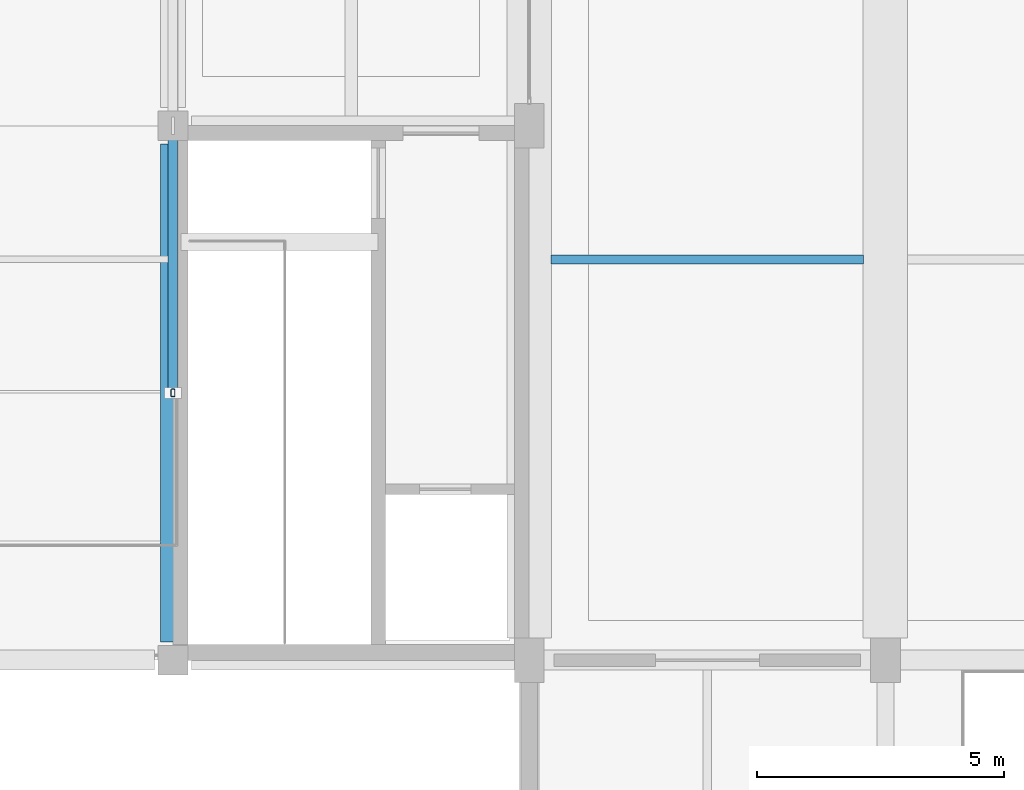
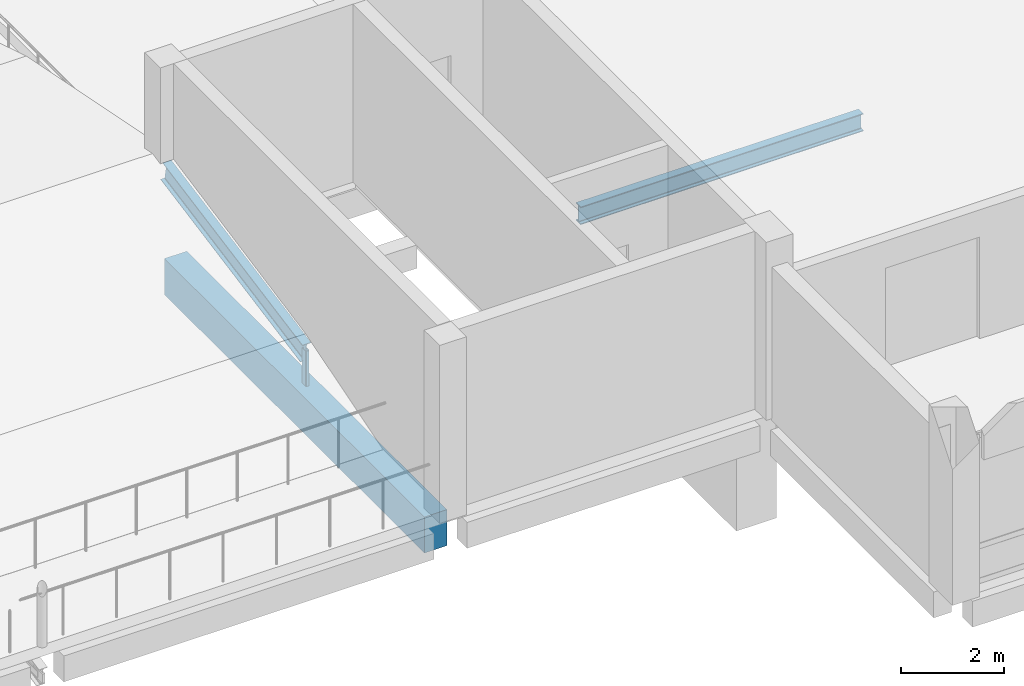
# One storey, part 20 of 158: 3 beams, 1 member.
"""IFC4 building model written with IfcOpenShell, lengths in metres."""

import ifcopenshell
import ifcopenshell.guid

model = None  # the IFC model being written
_history = None  # IfcOwnerHistory: only IFC2X3 demands one
_inside = {}  # id of a spatial element -> (the spatial element, [elements in it])
_under = {}  # id of a project, library or spatial element -> (it, [spatial elements below it])
_declared = {}  # id of a project -> (the project, [libraries it declares])
_typed = {}  # id of a type object -> (the type object, [elements of that type])
_made_of = {}  # id of a material, layer set ... -> (it, [elements and type objects made of it])


def new_model(schema):
    """Start an empty IFC model of exactly this schema.

    Asked for "IFC4X3", IfcOpenShell would pick the latest addendum, in which some entities
    have other attributes; the version numbers below select the first issue.
    IFC2X3 requires an IfcOwnerHistory on every rooted entity: one is made here for all.
    """
    global model, _history
    if schema == "IFC4X3":
        model = ifcopenshell.file(schema_version=(4, 3, 0, 0))
    else:
        model = ifcopenshell.file(schema=schema)
    _inside.clear()
    _under.clear()
    _declared.clear()
    _typed.clear()
    _made_of.clear()
    _history = None
    if model.schema == "IFC2X3":
        org = make("IfcOrganization", Name="unknown")
        user = make(
            "IfcPersonAndOrganization",
            ThePerson=make("IfcPerson", FamilyName="unknown"),
            TheOrganization=org,
        )
        app = make(
            "IfcApplication",
            ApplicationDeveloper=org,
            Version="unknown",
            ApplicationFullName="unknown",
            ApplicationIdentifier="unknown",
        )
        _history = make(
            "IfcOwnerHistory",
            OwningUser=user,
            OwningApplication=app,
            ChangeAction="ADDED",
            CreationDate=0,
        )
    return model


def make(cls, **values):
    """One entity of the class cls with the attributes given. An attribute that is None is left unset."""
    return model.create_entity(
        cls, **{name: value for name, value in values.items() if value is not None}
    )


def rooted(cls, **values):
    """An entity with a GlobalId (a new one), such as an element, a storey or a relation."""
    return make(cls, GlobalId=ifcopenshell.guid.new(), OwnerHistory=_history, **values)


def si_unit(unit_type, name, prefix=None):
    """IfcSIUnit, for example si_unit("LENGTHUNIT", "METRE", prefix="MILLI")."""
    return make("IfcSIUnit", UnitType=unit_type, Prefix=prefix, Name=name)


def assignment(units):
    """IfcUnitAssignment: the units of a project."""
    return None if units is None else make("IfcUnitAssignment", Units=units)


def point(xyz):
    """IfcCartesianPoint."""
    return None if xyz is None else make("IfcCartesianPoint", Coordinates=xyz)


def direction(xyz):
    """IfcDirection."""
    return None if xyz is None else make("IfcDirection", DirectionRatios=xyz)


def frame(location, z_axis=None, x_axis=None):
    """IfcAxis2Placement3D, a coordinate frame: its origin and axes. An axis left out is left unset."""
    return make(
        "IfcAxis2Placement3D",
        Location=point(location),
        Axis=direction(z_axis),
        RefDirection=direction(x_axis),
    )


def frame_2d(location, x_axis=None):
    """IfcAxis2Placement2D, a coordinate frame in the plane: its origin and x axis."""
    return make(
        "IfcAxis2Placement2D", Location=point(location), RefDirection=direction(x_axis)
    )


def origin():
    """The frame at (0, 0, 0) with its axes left unset."""
    return frame((0.0, 0.0, 0.0))


def origin_2d():
    """The frame at (0, 0) in the plane with its x axis left unset."""
    return frame_2d((0.0, 0.0))


def place(relative_to, where):
    """IfcLocalPlacement: puts the frame where relative to a parent placement (None: the world)."""
    return make(
        "IfcLocalPlacement", PlacementRelTo=relative_to, RelativePlacement=where
    )


def context(
    kind, dimensions, precision=None, world=None, true_north=None, identifier=None
):
    """IfcGeometricRepresentationContext, for example the 3D "Model" context."""
    return make(
        "IfcGeometricRepresentationContext",
        ContextIdentifier=identifier,
        ContextType=kind,
        CoordinateSpaceDimension=dimensions,
        Precision=precision,
        WorldCoordinateSystem=world,
        TrueNorth=true_north,
    )


def subcontext(parent, identifier, kind, view, scale=None):
    """IfcGeometricRepresentationSubContext, for example "Body" below "Model"."""
    return make(
        "IfcGeometricRepresentationSubContext",
        ContextIdentifier=identifier,
        ContextType=kind,
        ParentContext=parent,
        TargetScale=scale,
        TargetView=view,
    )


def project(units=None, contexts=None):
    """IfcProject with its units and contexts."""
    return rooted(
        "IfcProject",
        Name="project",
        RepresentationContexts=contexts,
        UnitsInContext=assignment(units),
    )


def spatial(cls, under=None, at=None, **own):
    """A site, building, storey or space (cls), placed at a placement, below another one or the project."""
    s = rooted(cls, ObjectPlacement=at, **own)
    if under is not None:
        _under.setdefault(under.id(), (under, []))[1].append(s)
    return s


def profile(cls, at=None, kind="AREA", **sizes):
    """A parametric profile (cls). Its sizes go by their IFC names, for example OverallWidth=200.0."""
    return make(cls, ProfileType=kind, Position=at, **sizes)


def rectangle(**sizes):
    """IfcRectangleProfileDef."""
    return profile("IfcRectangleProfileDef", **sizes)


def hollow_rectangle(**sizes):
    """IfcRectangleHollowProfileDef."""
    return profile("IfcRectangleHollowProfileDef", **sizes)


def i_section(**sizes):
    """IfcIShapeProfileDef."""
    return profile("IfcIShapeProfileDef", **sizes)


def extrude(swept, where, along, depth):
    """IfcExtrudedAreaSolid: the profile swept, set in the frame where, extruded along a direction by depth."""
    return make(
        "IfcExtrudedAreaSolid",
        SweptArea=swept,
        Position=where,
        ExtrudedDirection=direction(along),
        Depth=depth,
    )


def shape(context_of_items, identifier, shape_type, items):
    """IfcShapeRepresentation: the items that make up one representation, for example the "Body"."""
    return make(
        "IfcShapeRepresentation",
        ContextOfItems=context_of_items,
        RepresentationIdentifier=identifier,
        RepresentationType=shape_type,
        Items=items,
    )


def material(Name=None, Category=None):
    """IfcMaterial."""
    return make("IfcMaterial", Name=Name, Category=Category)


def material_profile(
    of_material, cross_section, Name=None, Category=None, Priority=None
):
    """IfcMaterialProfile: a cross section and its material."""
    return make(
        "IfcMaterialProfile",
        Name=Name,
        Material=of_material,
        Profile=cross_section,
        Priority=Priority,
        Category=Category,
    )


def profile_set(profiles, Name=None, composite=None):
    """IfcMaterialProfileSet."""
    return make(
        "IfcMaterialProfileSet",
        Name=Name,
        MaterialProfiles=profiles,
        CompositeProfile=composite,
    )


def made_of(thing, what):
    """Note that an element or type object is made of a material, layer set ...; save() writes the relation."""
    if what is not None:
        _made_of.setdefault(what.id(), (what, []))[1].append(thing)
    return thing


def type_object(cls, material=None, **own):
    """A type object (cls), such as IfcWallType, which elements share."""
    return made_of(rooted(cls, **own), material)


def element(
    cls,
    number,
    at=None,
    inside=None,
    cuts=None,
    type_object=None,
    material=None,
    context=None,
    identifier="Body",
    shape_type=None,
    held_by="IfcProductDefinitionShape",
    body=None,
    shapes=None,
    **own,
):
    """One element of the class cls, such as IfcWall. Its Tag is "e" and its number.

    at: its placement. inside: the storey or other place that contains it. cuts: it is an
    opening in that element (IfcRelVoidsElement). A single representation is given by context,
    identifier, shape_type and body (its items); several are given by shapes. held_by: the class
    of the entity that holds the representations. save() writes the other relations.
    """
    e = rooted(cls, Tag="e%d" % number, ObjectPlacement=at, **own)
    if body is not None:
        shapes = [shape(context, identifier, shape_type, body)]
    if shapes is not None:
        e.Representation = make(held_by, Representations=shapes)
    if inside is not None:
        _inside.setdefault(inside.id(), (inside, []))[1].append(e)
    if cuts is not None:
        rooted(
            "IfcRelVoidsElement", RelatingBuildingElement=cuts, RelatedOpeningElement=e
        )
    if type_object is not None:
        _typed.setdefault(type_object.id(), (type_object, []))[1].append(e)
    return made_of(e, material)


def aggregate(whole, parts):
    """IfcRelAggregates: a whole, such as a stair, and the parts it consists of."""
    return rooted("IfcRelAggregates", RelatingObject=whole, RelatedObjects=parts)


def save(model, path):
    """Write the relations noted so far, then the file.

    IfcRelAggregates (storeys below a building ...), IfcRelContainedInSpatialStructure (elements
    in a storey), IfcRelDefinesByType, IfcRelAssociatesMaterial and IfcRelDeclares: one each for
    every whole, place, type object, material and project.
    """
    for whole, parts in _under.values():
        aggregate(whole, parts)
    for where, things in _inside.values():
        rooted(
            "IfcRelContainedInSpatialStructure",
            RelatedElements=things,
            RelatingStructure=where,
        )
    for kind, things in _typed.values():
        rooted("IfcRelDefinesByType", RelatedObjects=things, RelatingType=kind)
    for what, things in _made_of.values():
        rooted("IfcRelAssociatesMaterial", RelatedObjects=things, RelatingMaterial=what)
    for by, libraries in _declared.values():
        rooted("IfcRelDeclares", RelatingContext=by, RelatedDefinitions=libraries)
    model.write(path)


model = new_model("IFC4")

# Units and contexts
model_context = context("Model", 3, precision=1e-05, world=origin(), true_north=direction((0.0, 1.0)))
body_context = subcontext(model_context, "Body", "Model", "MODEL_VIEW")
ifc_project = project(units=[si_unit("LENGTHUNIT", "METRE"), si_unit("AREAUNIT", "SQUARE_METRE"), si_unit("VOLUMEUNIT", "CUBIC_METRE"), si_unit("PLANEANGLEUNIT", "RADIAN"), si_unit("MASSUNIT", "GRAM", prefix="KILO")], contexts=[model_context])

# Site, building, storey
site_placement = place(None, origin())
site = spatial("IfcSite", under=ifc_project, at=site_placement, CompositionType="ELEMENT")
building_placement = place(site_placement, origin())
building = spatial("IfcBuilding", under=site, at=building_placement, Name="Lusvemor Sports Hall", CompositionType="ELEMENT")
storey_placement = place(building_placement, frame((0.0, 0.0, 10.800048828125)))
storey = spatial("IfcBuildingStorey", under=building, at=storey_placement, Name="L02", CompositionType="ELEMENT", Elevation=10.800048828125)

# Beams
ifc_material_1 = material(Name="Steel S355", Category="steel")
ifc_material_profile_1 = material_profile(ifc_material_1, i_section(OverallWidth=0.180908203125, OverallDepth=0.4169921875, WebThickness=0.010986328125, FlangeThickness=0.018310546875, FilletRadius=0.01611328125, at=origin_2d()), Name="W410x85.0")
ifc_profile_set_1 = profile_set([ifc_material_profile_1], Name="Steel S355")
beam_type_1 = type_object("IfcBeamType", Name="BEAM_ST_410H", PredefinedType="BEAM", material=ifc_profile_set_1)
beam_1_placement = place(storey_placement, frame((119.2451171875, 15.300048828125, -0.5625), z_axis=(1.0, 0.0, 0.0), x_axis=(0.0, 1.0, 0.0)))
element("IfcBeam", 1, at=beam_1_placement, inside=storey, type_object=beam_type_1, Name="Transfer Deck Beam 13-14 Row 1", PredefinedType="BEAM", context=body_context, shape_type="SweptSolid", body=[
    extrude(i_section(OverallWidth=0.180908203125, OverallDepth=0.4169921875, WebThickness=0.010986328125, FlangeThickness=0.018310546875, FilletRadius=0.01611328125, at=origin_2d()), origin(), (0.0, 0.0, 1.0), 6.309814453125),
])
ifc_material_2 = material(Name="Concrete C40/50", Category="concrete")
ifc_material_profile_2 = material_profile(ifc_material_2, rectangle(XDim=0.5, YDim=0.85009765625, at=origin_2d()), Name="RC500x850")
ifc_profile_set_2 = profile_set([ifc_material_profile_2], Name="Concrete C40/50")
beam_type_2 = type_object("IfcBeamType", Name="GIRD_RC_850", PredefinedType="T_BEAM", material=ifc_profile_set_2)
beam_2_placement = place(storey_placement, frame((111.60009765625, 7.571044921875, -0.695068359375), z_axis=(0.0, 1.0, 0.0), x_axis=(-1.0, 0.0, 0.0)))
element("IfcBeam", 2, at=beam_2_placement, inside=storey, type_object=beam_type_2, Name="Beam L02 12:B-C", PredefinedType="T_BEAM", context=body_context, shape_type="SweptSolid", body=[
    extrude(rectangle(XDim=0.5, YDim=0.85009765625, at=origin_2d()), origin(), (0.0, 0.0, 1.0), 10.057861328125),
])
ifc_material_3 = material(Name="Steel S355", Category="steel")
ifc_material_profile_3 = material_profile(ifc_material_3, i_section(OverallWidth=0.18994140625, OverallDepth=0.45703125, WebThickness=0.009033203125, FlangeThickness=0.014404296875, FilletRadius=0.01806640625, at=origin_2d()), Name="W460x74.0")
ifc_profile_set_3 = profile_set([ifc_material_profile_3], Name="Steel S355")
beam_type_3 = type_object("IfcBeamType", Name="GIRD_ST_460", PredefinedType="T_BEAM", material=ifc_profile_set_3)
beam_3_placement = place(storey_placement, frame((111.60009765625, 12.60009765625, 0.47998046875), z_axis=(0.0, 0.982289164746, 0.187371280679), x_axis=(-1.0, 0.0, 0.0)))
element("IfcBeam", 3, at=beam_3_placement, inside=storey, type_object=beam_type_3, Name="Foyer Lantern Portal Rafter 12-1", PredefinedType="T_BEAM", context=body_context, shape_type="SweptSolid", body=[
    extrude(i_section(OverallWidth=0.18994140625, OverallDepth=0.45703125, WebThickness=0.009033203125, FlangeThickness=0.014404296875, FilletRadius=0.01806640625, at=origin_2d()), origin(), (0.0, 0.0, 1.0), 5.497314453125),
])

# Member
ifc_material_4 = material(Name="Steel S355", Category="steel")
ifc_material_profile_4 = material_profile(ifc_material_4, hollow_rectangle(XDim=0.080078125, YDim=0.159912109375, WallThickness=0.008056640625, InnerFilletRadius=0.008056640625, OuterFilletRadius=0.01611328125, at=origin_2d()), Name="RHS160x80x8")
ifc_profile_set_4 = profile_set([ifc_material_profile_4], Name="Steel S355")
member_type = type_object("IfcMemberType", Name="STRUT_LANTERN_160", PredefinedType="STRUT", material=ifc_profile_set_4)
member_placement = place(storey_placement, frame((111.60009765625, 12.60009765625, -0.5), z_axis=(0.0, 0.0, 1.0), x_axis=(1.0, 0.0, 0.0)))
element("IfcMember", 4, at=member_placement, inside=storey, type_object=member_type, Name="Lantern Gable Portal Strut 12-S", PredefinedType="STRUT", context=body_context, shape_type="SweptSolid", body=[
    extrude(hollow_rectangle(XDim=0.080078125, YDim=0.159912109375, WallThickness=0.008056640625, InnerFilletRadius=0.008056640625, OuterFilletRadius=0.01611328125, at=origin_2d()), origin(), (0.0, 0.0, 1.0), 1.06005859375),
])

save(model, "model.ifc")
